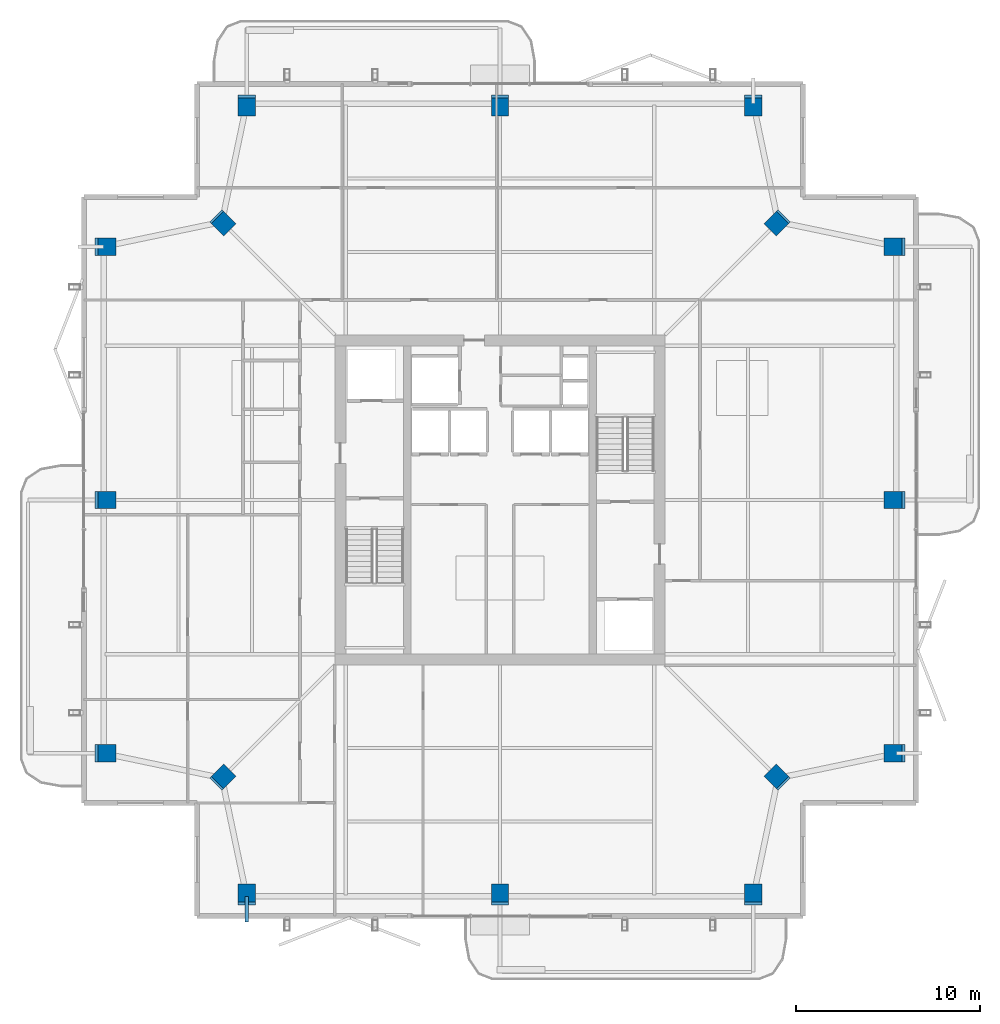
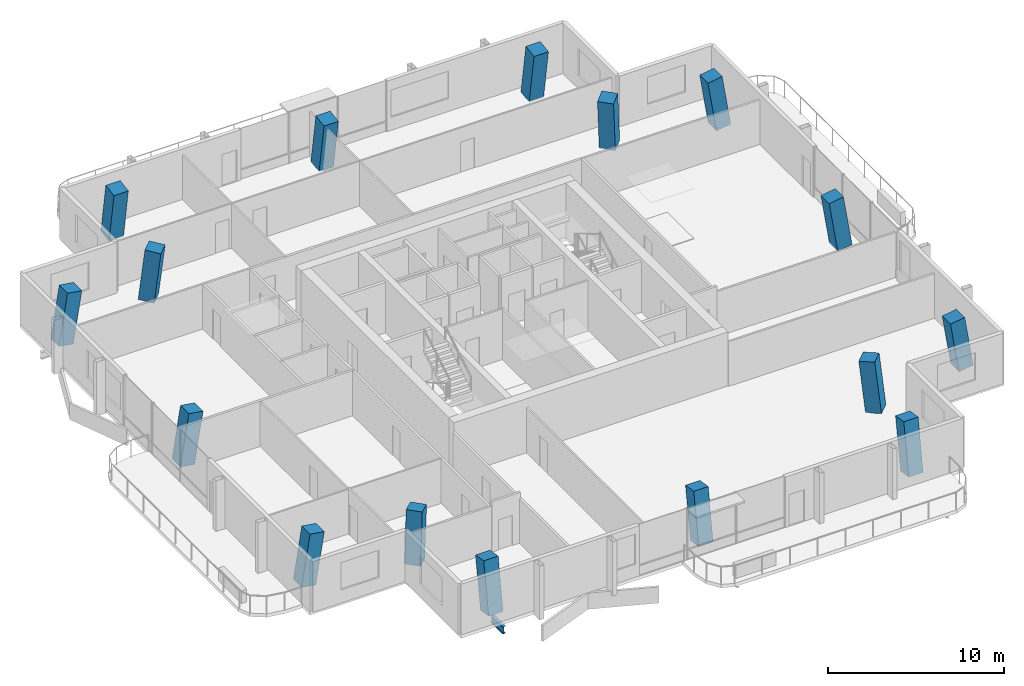
# One storey, part 1 of 20: 16 columns, 1 beam.
"""IFC4 building model written with IfcOpenShell, lengths in metres."""

from ifc_helpers import new_model, si_unit, direction, frame, origin, origin_2d, place, context, subcontext, project, spatial, rectangle, i_section, extrude, material, material_profile, profile_set, type_object, element, save


model = new_model("IFC4")

# Units and contexts
model_context = context("Model", 3, precision=1e-05, world=origin(), true_north=direction((0.0, 1.0)))
body_context = subcontext(model_context, "Body", "Model", "MODEL_VIEW")
ifc_project = project(units=[si_unit("LENGTHUNIT", "METRE"), si_unit("AREAUNIT", "SQUARE_METRE"), si_unit("VOLUMEUNIT", "CUBIC_METRE"), si_unit("PLANEANGLEUNIT", "RADIAN"), si_unit("MASSUNIT", "GRAM", prefix="KILO")], contexts=[model_context])

# Site, building, storey
site_placement = place(None, origin())
site = spatial("IfcSite", under=ifc_project, at=site_placement, CompositionType="ELEMENT")
building_placement = place(site_placement, origin())
building = spatial("IfcBuilding", under=site, at=building_placement, Name="Belovzor Exchange Tower", CompositionType="ELEMENT")
storey_placement = place(building_placement, frame((0.0, 0.0, 329.25)))
storey = spatial("IfcBuildingStorey", under=building, at=storey_placement, Name="L82", CompositionType="ELEMENT", Elevation=329.25)

# Columns
ifc_material_1 = material(Name="Concrete C50/60", Category="concrete")
ifc_material_profile_1 = material_profile(ifc_material_1, rectangle(XDim=0.949951171875, YDim=0.949951171875, at=origin_2d()))
ifc_profile_set_1 = profile_set([ifc_material_profile_1], Name="Concrete C50/60")
column_type = type_object("IfcColumnType", Name="Reinforced Concrete Tower Column 950x950", PredefinedType="COLUMN", material=ifc_profile_set_1)
for number, where, z_axis, x_axis, name in (
    (1, (15.0, 7.199951171875, 0.0029296875), (0.0, 0.158092459532, 0.98742431317), (-1.0, 0.0, 0.0), "COL-T095 Reinforced Concrete Tower Column 950x950"),
    (2, (28.800048828125, 7.199951171875, 0.0029296875), (0.0, 0.158092459532, 0.98742431317), (-1.0, 0.0, 0.0), "COL-T095 Reinforced Concrete Tower Column 950x950"),
    (3, (42.60009765625, 7.199951171875, 0.0029296875), (0.0, 0.158092459532, 0.98742431317), (-1.0, 0.0, 0.0), "COL-T095 Reinforced Concrete Tower Column 950x950"),
    (4, (50.39990234375, 15.0, 0.0029296875), (-0.158025382189, 0.0, 0.987435050312), (0.0, -1.0, 0.0), "COL-T095 Reinforced Concrete Tower Column 950x950"),
    (5, (50.39990234375, 28.800048828125, 0.0029296875), (-0.158025382189, 0.0, 0.987435050312), (0.0, -1.0, 0.0), "COL-T095 Reinforced Concrete Tower Column 950x950"),
    (6, (50.39990234375, 42.60009765625, 0.0029296875), (-0.158025382189, 0.0, 0.987435050312), (0.0, -1.0, 0.0), "COL-T095 Reinforced Concrete Tower Column 950x950"),
    (7, (42.60009765625, 50.39990234375, 0.0029296875), (0.0, -0.158025382189, 0.987435050312), (1.0, 0.0, 0.0), "COL-T095 Reinforced Concrete Tower Column 950x950"),
    (8, (28.800048828125, 50.39990234375, 0.0029296875), (0.0, -0.158025382189, 0.987435050312), (1.0, 0.0, 0.0), "COL-T095 Reinforced Concrete Tower Column 950x950"),
    (9, (15.0, 50.39990234375, 0.0029296875), (0.0, -0.158025382189, 0.987435050312), (1.0, 0.0, 0.0), "COL-T095 Reinforced Concrete Tower Column 950x950"),
    (10, (7.199951171875, 42.60009765625, 0.0029296875), (0.158092459532, 0.0, 0.98742431317), (0.0, 1.0, 0.0), "COL-T095 Reinforced Concrete Tower Column 950x950"),
    (11, (7.199951171875, 28.800048828125, 0.0029296875), (0.158092459532, 0.0, 0.98742431317), (0.0, 1.0, 0.0), "COL-T095 Reinforced Concrete Tower Column 950x950"),
    (12, (7.199951171875, 15.0, 0.0029296875), (0.158092459532, 0.0, 0.98742431317), (0.0, 1.0, 0.0), "COL-T095 Reinforced Concrete Tower Column 950x950"),
):
    element("IfcColumn", number, at=place(storey_placement, frame(where, z_axis=z_axis, x_axis=x_axis)), inside=storey, type_object=column_type, Name=name, PredefinedType="COLUMN", context=body_context, shape_type="SweptSolid", body=[
        extrude(rectangle(XDim=0.949951171875, YDim=0.949951171875, at=origin_2d()), origin(), (0.0, 0.0, 1.0), 3.548828125),
    ])
for number, where, z_axis, x_axis, name in (
    (13, (13.64990234375, 13.64990234375, 0.0029296875), (0.079681515195, 0.079681515195, 0.993630571325), (-0.707106781187, 0.707106781187, 0.0), "COL-T095 Reinforced Concrete Tower Column 950x950"),
    (14, (43.949951171875, 13.64990234375, 0.0029296875), (-0.079681515195, 0.079681515195, 0.993630571325), (-0.707106781187, -0.707106781187, 0.0), "COL-T095 Reinforced Concrete Tower Column 950x950"),
    (15, (43.949951171875, 43.949951171875, 0.0029296875), (-0.079681515195, -0.079681515195, 0.993630571325), (0.707106781187, -0.707106781187, 0.0), "COL-T095 Reinforced Concrete Tower Column 950x950"),
    (16, (13.64990234375, 43.949951171875, 0.0029296875), (0.079681515195, -0.079681515195, 0.993630571325), (0.707106781187, 0.707106781187, 0.0), "COL-T095 Reinforced Concrete Tower Column 950x950"),
):
    element("IfcColumn", number, at=place(storey_placement, frame(where, z_axis=z_axis, x_axis=x_axis)), inside=storey, type_object=column_type, Name=name, PredefinedType="COLUMN", context=body_context, shape_type="SweptSolid", body=[
        extrude(rectangle(XDim=0.949951171875, YDim=0.949951171875, at=origin_2d()), origin(), (0.0, 0.0, 1.0), 3.526611328125),
    ])

# Beam
ifc_material_2 = material(Name="Steel S355", Category="steel")
ifc_material_profile_2 = material_profile(ifc_material_2, i_section(OverallWidth=0.199951171875, OverallDepth=0.5, WebThickness=0.01025390625, FlangeThickness=0.01611328125, at=origin_2d()))
ifc_profile_set_2 = profile_set([ifc_material_profile_2], Name="Steel S355")
beam_type = type_object("IfcBeamType", Name="Planted Balcony Cantilever Beam IPE 500", PredefinedType="BEAM", material=ifc_profile_set_2)
beam_placement = place(storey_placement, frame((15.0, 7.199951171875, -0.489990234375), z_axis=(0.0, -1.0, 0.0), x_axis=(1.0, 0.0, 0.0)))
element("IfcBeam", 17, at=beam_placement, inside=storey, type_object=beam_type, Name="BC-500 Planted Balcony Cantilever Beam IPE 500", PredefinedType="BEAM", context=body_context, shape_type="SweptSolid", body=[
    extrude(i_section(OverallWidth=0.199951171875, OverallDepth=0.5, WebThickness=0.01025390625, FlangeThickness=0.01611328125, at=origin_2d()), origin(), (0.0, 0.0, 1.0), 1.39990234375),
])

save(model, "model.ifc")
